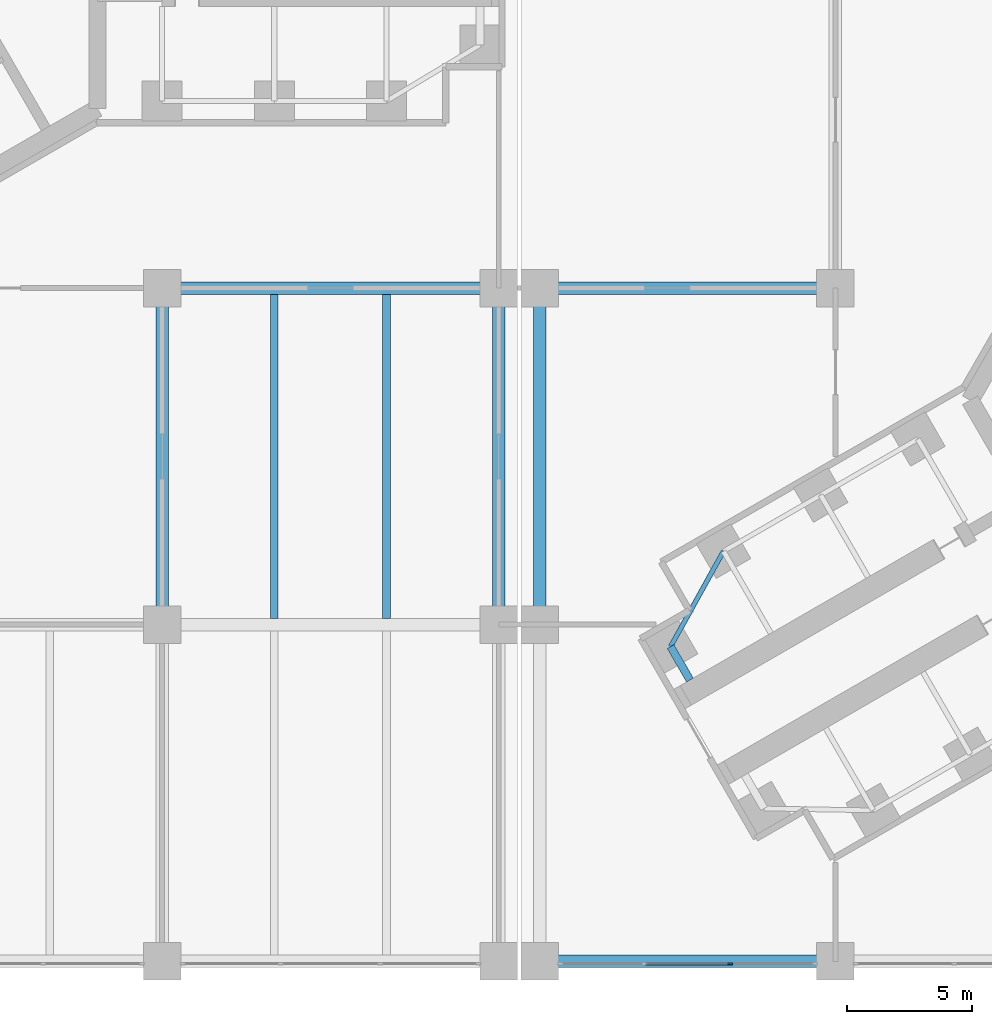
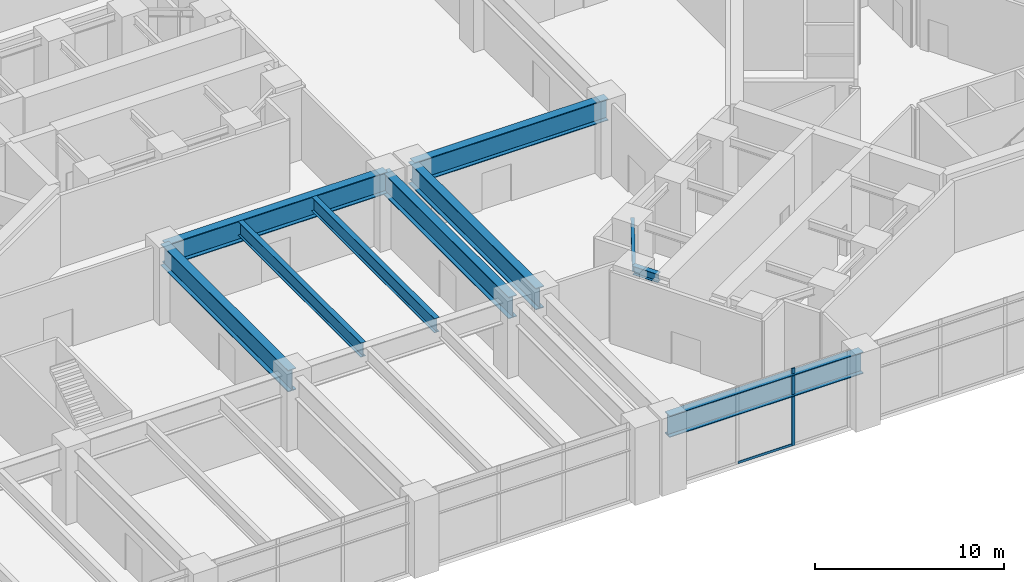
# One storey, part 5 of 31: 10 beams, 2 members, 1 element without a shape of its own.
"""IFC4 building model written with IfcOpenShell, lengths in metres."""

import ifcopenshell
import ifcopenshell.guid

model = None  # the IFC model being written
_history = None  # IfcOwnerHistory: only IFC2X3 demands one
_inside = {}  # id of a spatial element -> (the spatial element, [elements in it])
_under = {}  # id of a project, library or spatial element -> (it, [spatial elements below it])
_declared = {}  # id of a project -> (the project, [libraries it declares])
_typed = {}  # id of a type object -> (the type object, [elements of that type])
_made_of = {}  # id of a material, layer set ... -> (it, [elements and type objects made of it])


def new_model(schema):
    """Start an empty IFC model of exactly this schema.

    Asked for "IFC4X3", IfcOpenShell would pick the latest addendum, in which some entities
    have other attributes; the version numbers below select the first issue.
    IFC2X3 requires an IfcOwnerHistory on every rooted entity: one is made here for all.
    """
    global model, _history
    if schema == "IFC4X3":
        model = ifcopenshell.file(schema_version=(4, 3, 0, 0))
    else:
        model = ifcopenshell.file(schema=schema)
    _inside.clear()
    _under.clear()
    _declared.clear()
    _typed.clear()
    _made_of.clear()
    _history = None
    if model.schema == "IFC2X3":
        org = make("IfcOrganization", Name="unknown")
        user = make(
            "IfcPersonAndOrganization",
            ThePerson=make("IfcPerson", FamilyName="unknown"),
            TheOrganization=org,
        )
        app = make(
            "IfcApplication",
            ApplicationDeveloper=org,
            Version="unknown",
            ApplicationFullName="unknown",
            ApplicationIdentifier="unknown",
        )
        _history = make(
            "IfcOwnerHistory",
            OwningUser=user,
            OwningApplication=app,
            ChangeAction="ADDED",
            CreationDate=0,
        )
    return model


def make(cls, **values):
    """One entity of the class cls with the attributes given. An attribute that is None is left unset."""
    return model.create_entity(
        cls, **{name: value for name, value in values.items() if value is not None}
    )


def rooted(cls, **values):
    """An entity with a GlobalId (a new one), such as an element, a storey or a relation."""
    return make(cls, GlobalId=ifcopenshell.guid.new(), OwnerHistory=_history, **values)


def si_unit(unit_type, name, prefix=None):
    """IfcSIUnit, for example si_unit("LENGTHUNIT", "METRE", prefix="MILLI")."""
    return make("IfcSIUnit", UnitType=unit_type, Prefix=prefix, Name=name)


def assignment(units):
    """IfcUnitAssignment: the units of a project."""
    return None if units is None else make("IfcUnitAssignment", Units=units)


def point(xyz):
    """IfcCartesianPoint."""
    return None if xyz is None else make("IfcCartesianPoint", Coordinates=xyz)


def direction(xyz):
    """IfcDirection."""
    return None if xyz is None else make("IfcDirection", DirectionRatios=xyz)


def frame(location, z_axis=None, x_axis=None):
    """IfcAxis2Placement3D, a coordinate frame: its origin and axes. An axis left out is left unset."""
    return make(
        "IfcAxis2Placement3D",
        Location=point(location),
        Axis=direction(z_axis),
        RefDirection=direction(x_axis),
    )


def frame_2d(location, x_axis=None):
    """IfcAxis2Placement2D, a coordinate frame in the plane: its origin and x axis."""
    return make(
        "IfcAxis2Placement2D", Location=point(location), RefDirection=direction(x_axis)
    )


def origin():
    """The frame at (0, 0, 0) with its axes left unset."""
    return frame((0.0, 0.0, 0.0))


def origin_2d():
    """The frame at (0, 0) in the plane with its x axis left unset."""
    return frame_2d((0.0, 0.0))


def place(relative_to, where):
    """IfcLocalPlacement: puts the frame where relative to a parent placement (None: the world)."""
    return make(
        "IfcLocalPlacement", PlacementRelTo=relative_to, RelativePlacement=where
    )


def context(
    kind, dimensions, precision=None, world=None, true_north=None, identifier=None
):
    """IfcGeometricRepresentationContext, for example the 3D "Model" context."""
    return make(
        "IfcGeometricRepresentationContext",
        ContextIdentifier=identifier,
        ContextType=kind,
        CoordinateSpaceDimension=dimensions,
        Precision=precision,
        WorldCoordinateSystem=world,
        TrueNorth=true_north,
    )


def subcontext(parent, identifier, kind, view, scale=None):
    """IfcGeometricRepresentationSubContext, for example "Body" below "Model"."""
    return make(
        "IfcGeometricRepresentationSubContext",
        ContextIdentifier=identifier,
        ContextType=kind,
        ParentContext=parent,
        TargetScale=scale,
        TargetView=view,
    )


def project(units=None, contexts=None):
    """IfcProject with its units and contexts."""
    return rooted(
        "IfcProject",
        Name="project",
        RepresentationContexts=contexts,
        UnitsInContext=assignment(units),
    )


def spatial(cls, under=None, at=None, **own):
    """A site, building, storey or space (cls), placed at a placement, below another one or the project."""
    s = rooted(cls, ObjectPlacement=at, **own)
    if under is not None:
        _under.setdefault(under.id(), (under, []))[1].append(s)
    return s


def profile(cls, at=None, kind="AREA", **sizes):
    """A parametric profile (cls). Its sizes go by their IFC names, for example OverallWidth=200.0."""
    return make(cls, ProfileType=kind, Position=at, **sizes)


def rectangle(**sizes):
    """IfcRectangleProfileDef."""
    return profile("IfcRectangleProfileDef", **sizes)


def i_section(**sizes):
    """IfcIShapeProfileDef."""
    return profile("IfcIShapeProfileDef", **sizes)


def extrude(swept, where, along, depth):
    """IfcExtrudedAreaSolid: the profile swept, set in the frame where, extruded along a direction by depth."""
    return make(
        "IfcExtrudedAreaSolid",
        SweptArea=swept,
        Position=where,
        ExtrudedDirection=direction(along),
        Depth=depth,
    )


def shape(context_of_items, identifier, shape_type, items):
    """IfcShapeRepresentation: the items that make up one representation, for example the "Body"."""
    return make(
        "IfcShapeRepresentation",
        ContextOfItems=context_of_items,
        RepresentationIdentifier=identifier,
        RepresentationType=shape_type,
        Items=items,
    )


def material(Name=None, Category=None):
    """IfcMaterial."""
    return make("IfcMaterial", Name=Name, Category=Category)


def material_profile(
    of_material, cross_section, Name=None, Category=None, Priority=None
):
    """IfcMaterialProfile: a cross section and its material."""
    return make(
        "IfcMaterialProfile",
        Name=Name,
        Material=of_material,
        Profile=cross_section,
        Priority=Priority,
        Category=Category,
    )


def profile_set(profiles, Name=None, composite=None):
    """IfcMaterialProfileSet."""
    return make(
        "IfcMaterialProfileSet",
        Name=Name,
        MaterialProfiles=profiles,
        CompositeProfile=composite,
    )


def made_of(thing, what):
    """Note that an element or type object is made of a material, layer set ...; save() writes the relation."""
    if what is not None:
        _made_of.setdefault(what.id(), (what, []))[1].append(thing)
    return thing


def type_object(cls, material=None, **own):
    """A type object (cls), such as IfcWallType, which elements share."""
    return made_of(rooted(cls, **own), material)


def element(
    cls,
    number,
    at=None,
    inside=None,
    cuts=None,
    type_object=None,
    material=None,
    context=None,
    identifier="Body",
    shape_type=None,
    held_by="IfcProductDefinitionShape",
    body=None,
    shapes=None,
    **own,
):
    """One element of the class cls, such as IfcWall. Its Tag is "e" and its number.

    at: its placement. inside: the storey or other place that contains it. cuts: it is an
    opening in that element (IfcRelVoidsElement). A single representation is given by context,
    identifier, shape_type and body (its items); several are given by shapes. held_by: the class
    of the entity that holds the representations. save() writes the other relations.
    """
    e = rooted(cls, Tag="e%d" % number, ObjectPlacement=at, **own)
    if body is not None:
        shapes = [shape(context, identifier, shape_type, body)]
    if shapes is not None:
        e.Representation = make(held_by, Representations=shapes)
    if inside is not None:
        _inside.setdefault(inside.id(), (inside, []))[1].append(e)
    if cuts is not None:
        rooted(
            "IfcRelVoidsElement", RelatingBuildingElement=cuts, RelatedOpeningElement=e
        )
    if type_object is not None:
        _typed.setdefault(type_object.id(), (type_object, []))[1].append(e)
    return made_of(e, material)


def aggregate(whole, parts):
    """IfcRelAggregates: a whole, such as a stair, and the parts it consists of."""
    return rooted("IfcRelAggregates", RelatingObject=whole, RelatedObjects=parts)


def save(model, path):
    """Write the relations noted so far, then the file.

    IfcRelAggregates (storeys below a building ...), IfcRelContainedInSpatialStructure (elements
    in a storey), IfcRelDefinesByType, IfcRelAssociatesMaterial and IfcRelDeclares: one each for
    every whole, place, type object, material and project.
    """
    for whole, parts in _under.values():
        aggregate(whole, parts)
    for where, things in _inside.values():
        rooted(
            "IfcRelContainedInSpatialStructure",
            RelatedElements=things,
            RelatingStructure=where,
        )
    for kind, things in _typed.values():
        rooted("IfcRelDefinesByType", RelatedObjects=things, RelatingType=kind)
    for what, things in _made_of.values():
        rooted("IfcRelAssociatesMaterial", RelatedObjects=things, RelatingMaterial=what)
    for by, libraries in _declared.values():
        rooted("IfcRelDeclares", RelatingContext=by, RelatedDefinitions=libraries)
    model.write(path)


model = new_model("IFC4")

# Units and contexts
model_context = context("Model", 3, precision=1e-05, world=origin(), true_north=direction((0.0, 1.0)))
body_context = subcontext(model_context, "Body", "Model", "MODEL_VIEW")
ifc_project = project(units=[si_unit("LENGTHUNIT", "METRE"), si_unit("AREAUNIT", "SQUARE_METRE"), si_unit("VOLUMEUNIT", "CUBIC_METRE"), si_unit("PLANEANGLEUNIT", "RADIAN"), si_unit("MASSUNIT", "GRAM", prefix="KILO")], contexts=[model_context])

# Site, building, storey
site_placement = place(None, origin())
site = spatial("IfcSite", under=ifc_project, at=site_placement, CompositionType="ELEMENT")
building_placement = place(site_placement, origin())
building = spatial("IfcBuilding", under=site, at=building_placement, Name="Upepo Twin Towers", CompositionType="ELEMENT")
storey_placement = place(building_placement, frame((0.0, 0.0, 15.5)))
storey = spatial("IfcBuildingStorey", under=building, at=storey_placement, Name="L03", CompositionType="ELEMENT", Elevation=15.5)

# Beams
ifc_material_1 = material(Name="Steel S355", Category="steel")
ifc_material_profile_1 = material_profile(ifc_material_1, i_section(OverallWidth=0.5, OverallDepth=1.39990234375, WebThickness=0.02490234375, FlangeThickness=0.050048828125, FilletRadius=0.008056640625, at=origin_2d()), Name="PG 1400x500x25x50")
ifc_profile_set_1 = profile_set([ifc_material_profile_1], Name="Steel S355")
beam_type_1 = type_object("IfcBeamType", Name="Beam PG 1400x500x25x50", PredefinedType="BEAM", material=ifc_profile_set_1)
beam_1_placement = place(storey_placement, frame((28.64990234375, -40.5, 3.949951171875), z_axis=(1.0, 0.0, 0.0), x_axis=(0.0, 1.0, 0.0)))
element("IfcBeam", 1, at=beam_1_placement, inside=storey, type_object=beam_type_1, Name="Podium girder A/5a-6", PredefinedType="BEAM", context=body_context, shape_type="SweptSolid", body=[
    extrude(i_section(OverallWidth=0.5, OverallDepth=1.39990234375, WebThickness=0.02490234375, FlangeThickness=0.050048828125, FilletRadius=0.008056640625, at=origin_2d()), origin(), (0.0, 0.0, 1.0), 11.85009765625),
])
beam_2_placement = place(storey_placement, frame((13.5, -13.5, 3.949951171875), z_axis=(1.0, 0.0, 0.0), x_axis=(0.0, 1.0, 0.0)))
element("IfcBeam", 2, at=beam_2_placement, inside=storey, type_object=beam_type_1, Name="Podium girder C/4-5", PredefinedType="BEAM", context=body_context, shape_type="SweptSolid", body=[
    extrude(i_section(OverallWidth=0.5, OverallDepth=1.39990234375, WebThickness=0.02490234375, FlangeThickness=0.050048828125, FilletRadius=0.008056640625, at=origin_2d()), origin(), (0.0, 0.0, 1.0), 13.5),
])
beam_3_placement = place(storey_placement, frame((28.64990234375, -13.5, 3.949951171875), z_axis=(1.0, 0.0, 0.0), x_axis=(0.0, 1.0, 0.0)))
element("IfcBeam", 3, at=beam_3_placement, inside=storey, type_object=beam_type_1, Name="Podium girder C/5a-6", PredefinedType="BEAM", context=body_context, shape_type="SweptSolid", body=[
    extrude(i_section(OverallWidth=0.5, OverallDepth=1.39990234375, WebThickness=0.02490234375, FlangeThickness=0.050048828125, FilletRadius=0.008056640625, at=origin_2d()), origin(), (0.0, 0.0, 1.0), 11.85009765625),
])
for number, where, z_axis, x_axis, name in (
    (4, (13.5, -27.0, 3.949951171875), (0.0, 1.0, 0.0), (-1.0, 0.0, 0.0), "Podium girder 4/B-C"),
    (5, (27.0, -27.0, 3.949951171875), (0.0, 1.0, 0.0), (-1.0, 0.0, 0.0), "Podium girder 5/B-C"),
    (6, (28.64990234375, -27.0, 3.949951171875), (0.0, 1.0, 0.0), (-1.0, 0.0, 0.0), "Podium girder 5a/B-C"),
):
    element("IfcBeam", number, at=place(storey_placement, frame(where, z_axis=z_axis, x_axis=x_axis)), inside=storey, type_object=beam_type_1, Name=name, PredefinedType="BEAM", context=body_context, shape_type="SweptSolid", body=[
        extrude(i_section(OverallWidth=0.5, OverallDepth=1.39990234375, WebThickness=0.02490234375, FlangeThickness=0.050048828125, FilletRadius=0.008056640625, at=origin_2d()), origin(), (0.0, 0.0, 1.0), 13.5),
    ])
ifc_material_2 = material(Name="Steel S355", Category="steel")
ifc_material_profile_2 = material_profile(ifc_material_2, i_section(OverallWidth=0.1904296875, OverallDepth=0.45703125, WebThickness=0.009033203125, FlangeThickness=0.014404296875, FilletRadius=0.01025390625, at=origin_2d()), Name="UB 457x191x74")
ifc_profile_set_2 = profile_set([ifc_material_profile_2], Name="Steel S355")
beam_type_2 = type_object("IfcBeamType", Name="Beam UB 457x191x74", PredefinedType="BEAM", material=ifc_profile_set_2)
beam_4_placement = place(storey_placement, frame((36.014404296875, -24.053955078125, 4.571533203125), z_axis=(-0.485363242752, -0.874312600038, 0.0), x_axis=(0.874312600038, -0.485363242752, 0.0)))
element("IfcBeam", 7, at=beam_4_placement, inside=storey, type_object=beam_type_2, Name="T2 nose edge beam BR", PredefinedType="BEAM", context=body_context, shape_type="SweptSolid", body=[
    extrude(i_section(OverallWidth=0.1904296875, OverallDepth=0.45703125, WebThickness=0.009033203125, FlangeThickness=0.014404296875, FilletRadius=0.01025390625, at=origin_2d()), origin(), (0.0, 0.0, 1.0), 4.373046875),
])
ifc_material_3 = material(Name="Steel S355", Category="steel")
ifc_material_profile_3 = material_profile(ifc_material_3, i_section(OverallWidth=0.31201171875, OverallDepth=0.54345703125, WebThickness=0.0126953125, FlangeThickness=0.020263671875, FilletRadius=0.0126953125, at=origin_2d()), Name="UB 533x312x150")
ifc_profile_set_3 = profile_set([ifc_material_profile_3], Name="Steel S355")
beam_type_3 = type_object("IfcBeamType", Name="Beam UB 533x312x150", PredefinedType="BEAM", material=ifc_profile_set_3)
beam_5_placement = place(storey_placement, frame((33.891845703125, -27.87744140625, 4.5283203125), z_axis=(0.499967891604, -0.866043940782, 0.0), x_axis=(0.866043940782, 0.499967891604, 0.0)))
element("IfcBeam", 8, at=beam_5_placement, inside=storey, type_object=beam_type_3, Name="T2 nose beam BR", PredefinedType="BEAM", context=body_context, shape_type="SweptSolid", body=[
    extrude(i_section(OverallWidth=0.31201171875, OverallDepth=0.54345703125, WebThickness=0.0126953125, FlangeThickness=0.020263671875, FilletRadius=0.0126953125, at=origin_2d()), origin(), (0.0, 0.0, 1.0), 1.5498046875),
])

# Curtain wall, member
ifc_material_4 = material(Name="Aluminium and clear glass", Category="aluminium")
curtain_wall_type = type_object("IfcCurtainWallType", Name="Podium curtain wall PW1", PredefinedType="NOTDEFINED", material=ifc_material_4)
curtain_wall_placement = place(storey_placement, origin())
curtain_wall = element("IfcCurtainWall", 9, at=curtain_wall_placement, inside=storey, type_object=curtain_wall_type, Name="Podium L03 curtain wall S5", PredefinedType="NOTDEFINED")
ifc_material_5 = material(Name="Aluminium mullion", Category="aluminium")
ifc_material_profile_4 = material_profile(ifc_material_5, rectangle(XDim=0.06494140625, YDim=0.199951171875, at=origin_2d()), Name="MULLION 65x200 PODIUM")
ifc_profile_set_4 = profile_set([ifc_material_profile_4], Name="Aluminium mullion")
member_type_1 = type_object("IfcMemberType", Name="Mullion 65x200 PW1", PredefinedType="MULLION", material=ifc_profile_set_4)
member_1_placement = place(storey_placement, frame((36.288330078125, -40.60009765625, 0.0), z_axis=(0.0, 0.0, 1.0), x_axis=(0.0, 1.0, 0.0)))
member_1 = element("IfcMember", 10, at=member_1_placement, type_object=member_type_1, Name="Podium L03 curtain wall S5 mullion 3", PredefinedType="MULLION", context=body_context, shape_type="SweptSolid", body=[
    extrude(rectangle(XDim=0.06494140625, YDim=0.199951171875, at=origin_2d()), origin(), (0.0, 0.0, 1.0), 5.0),
])

# Beams
ifc_material_6 = material(Name="Steel S355", Category="steel")
ifc_material_profile_5 = material_profile(ifc_material_6, i_section(OverallWidth=0.305419921875, OverallDepth=0.91845703125, WebThickness=0.017333984375, FlangeThickness=0.02783203125, FilletRadius=0.01904296875, at=origin_2d()), Name="UB 914x305x253")
ifc_profile_set_5 = profile_set([ifc_material_profile_5], Name="Steel S355")
beam_type_4 = type_object("IfcBeamType", Name="Secondary beam UB 914x305x253", PredefinedType="JOIST", material=ifc_profile_set_5)
for number, where, z_axis, x_axis, name in (
    (11, (18.0, -26.75, 4.19091796875), (0.0, 1.0, 0.0), (-1.0, 0.0, 0.0), "Podium secondary beam B4.1"),
    (12, (22.5, -26.75, 4.19091796875), (0.0, 1.0, 0.0), (-1.0, 0.0, 0.0), "Podium secondary beam B4.2"),
):
    element("IfcBeam", number, at=place(storey_placement, frame(where, z_axis=z_axis, x_axis=x_axis)), inside=storey, type_object=beam_type_4, Name=name, PredefinedType="JOIST", context=body_context, shape_type="SweptSolid", body=[
        extrude(i_section(OverallWidth=0.305419921875, OverallDepth=0.91845703125, WebThickness=0.017333984375, FlangeThickness=0.02783203125, FilletRadius=0.01904296875, at=origin_2d()), origin(), (0.0, 0.0, 1.0), 13.0),
    ])

# Member
ifc_material_7 = material(Name="Aluminium transom", Category="aluminium")
ifc_material_profile_6 = material_profile(ifc_material_7, rectangle(XDim=0.06494140625, YDim=0.14990234375, at=origin_2d()), Name="TRANSOM 65x150 PODIUM")
ifc_profile_set_6 = profile_set([ifc_material_profile_6], Name="Aluminium transom")
member_type_2 = type_object("IfcMemberType", Name="Transom 65x150 PW1", PredefinedType="USERDEFINED", material=ifc_profile_set_6)
member_2_placement = place(storey_placement, frame((32.894287109375, -40.60009765625, 0.074951171875), z_axis=(1.0, 0.0, 0.0), x_axis=(0.0, 1.0, 0.0)))
member_2 = element("IfcMember", 13, at=member_2_placement, type_object=member_type_2, Name="Podium L03 curtain wall S5 transom 2", ObjectType="TRANSOM", PredefinedType="USERDEFINED", context=body_context, shape_type="SweptSolid", body=[
    extrude(rectangle(XDim=0.06494140625, YDim=0.14990234375, at=origin_2d()), origin(), (0.0, 0.0, 1.0), 3.361572265625),
])

aggregate(curtain_wall, [member_1, member_2])

save(model, "model.ifc")
